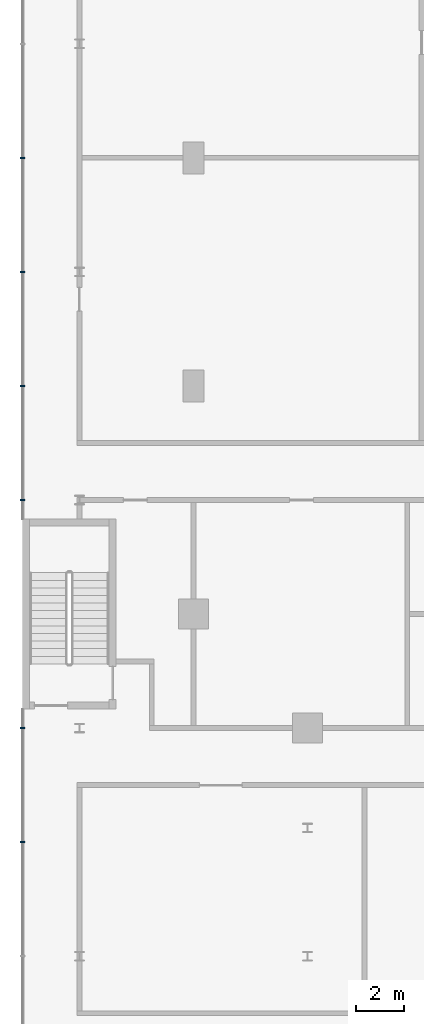
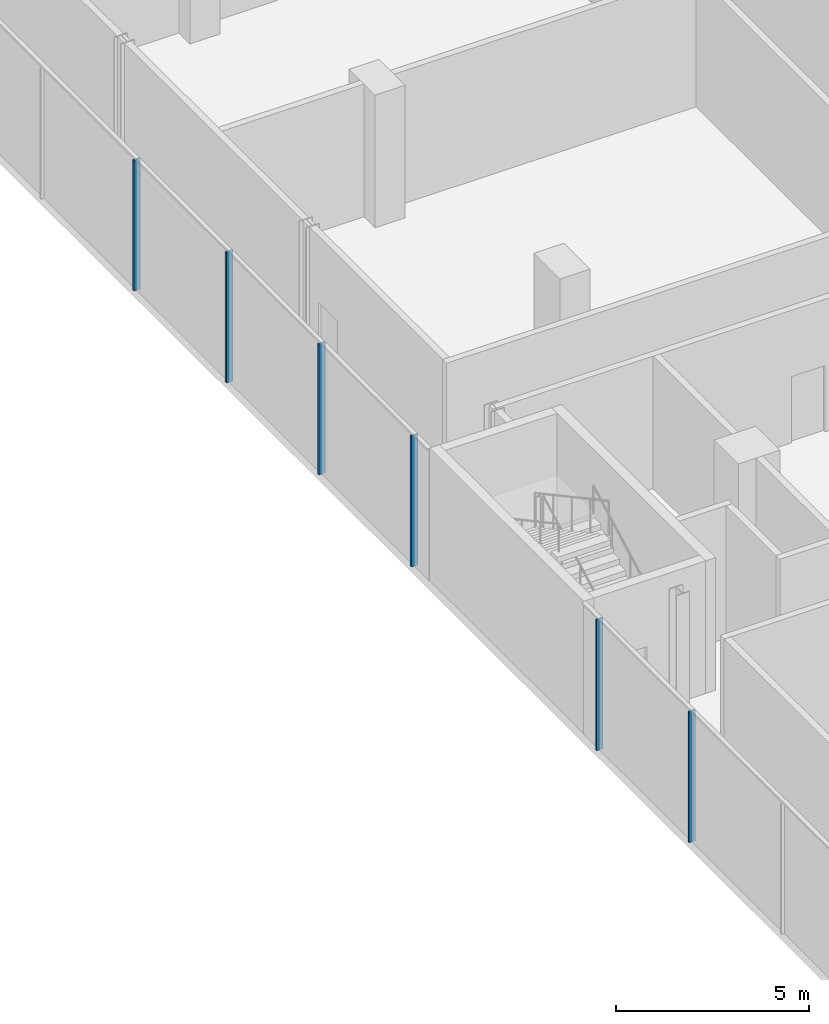
# One storey, part 10 of 43: 6 members, 1 element without a shape of its own.
"""IFC4 building model written with IfcOpenShell, lengths in metres."""

from ifc_helpers import new_model, si_unit, direction, frame, origin, origin_2d, place, context, subcontext, project, spatial, rectangle, extrude, material, layer, layer_set, material_profile, profile_set, type_object, element, aggregate, save


model = new_model("IFC4")

# Units and contexts
model_context = context("Model", 3, precision=1e-05, world=origin(), true_north=direction((0.0, 1.0)))
body_context = subcontext(model_context, "Body", "Model", "MODEL_VIEW")
ifc_project = project(units=[si_unit("LENGTHUNIT", "METRE"), si_unit("AREAUNIT", "SQUARE_METRE"), si_unit("VOLUMEUNIT", "CUBIC_METRE"), si_unit("PLANEANGLEUNIT", "RADIAN"), si_unit("MASSUNIT", "GRAM", prefix="KILO")], contexts=[model_context])

# Site, building, storey
site_placement = place(None, origin())
site = spatial("IfcSite", under=ifc_project, at=site_placement, CompositionType="ELEMENT")
building_placement = place(site_placement, origin())
building = spatial("IfcBuilding", under=site, at=building_placement, Name="Madar Terraces", CompositionType="ELEMENT")
storey_placement = place(building_placement, frame((0.0, 0.0, 10.5)))
storey = spatial("IfcBuildingStorey", under=building, at=storey_placement, Name="L02", CompositionType="ELEMENT", Elevation=10.5)

# Curtain wall, members
ifc_material_1 = material(Name="Glass, clear low-iron, with black aluminium frame", Category="aluminium")
ifc_layer = layer(ifc_material_1, 0.199951171875)
ifc_layer_set = layer_set([ifc_layer], Name="Facade curtain wall, shopfront glazing")
curtain_wall_type = type_object("IfcCurtainWallType", Name="Facade curtain wall, shopfront glazing", PredefinedType="NOTDEFINED", material=ifc_layer_set)
curtain_wall_placement = place(storey_placement, origin())
curtain_wall = element("IfcCurtainWall", 1, at=curtain_wall_placement, inside=storey, type_object=curtain_wall_type, Name="Outer skin curtain wall west bay 1", PredefinedType="NOTDEFINED")
ifc_material_2 = material(Name="Aluminium, black anodised", Category="aluminium")
ifc_material_profile = material_profile(ifc_material_2, rectangle(XDim=0.199951171875, YDim=0.06005859375, at=origin_2d()), Name="Facade mullion 60x200")
ifc_profile_set = profile_set([ifc_material_profile], Name="Aluminium, black anodised")
member_type = type_object("IfcMemberType", Name="Facade mullion 60x200", PredefinedType="MULLION", material=ifc_profile_set)
member_1_placement = place(storey_placement, frame((-7.199951171875, 24.0, 0.0), z_axis=(0.0, 0.0, 1.0), x_axis=(1.0, 0.0, 0.0)))
member_1 = element("IfcMember", 2, at=member_1_placement, type_object=member_type, Name="Mullion 6", PredefinedType="MULLION", context=body_context, shape_type="SweptSolid", body=[
    extrude(rectangle(XDim=0.199951171875, YDim=0.06005859375, at=origin_2d()), origin(), (0.0, 0.0, 1.0), 4.139892578125),
])
member_2_placement = place(storey_placement, frame((-7.199951171875, 19.199951171875, 0.0), z_axis=(0.0, 0.0, 1.0), x_axis=(1.0, 0.0, 0.0)))
member_2 = element("IfcMember", 3, at=member_2_placement, type_object=member_type, Name="Mullion 7", PredefinedType="MULLION", context=body_context, shape_type="SweptSolid", body=[
    extrude(rectangle(XDim=0.199951171875, YDim=0.06005859375, at=origin_2d()), origin(), (0.0, 0.0, 1.0), 4.139892578125),
])
member_3_placement = place(storey_placement, frame((-7.199951171875, 14.39990234375, 0.0), z_axis=(0.0, 0.0, 1.0), x_axis=(1.0, 0.0, 0.0)))
member_3 = element("IfcMember", 4, at=member_3_placement, type_object=member_type, Name="Mullion 8", PredefinedType="MULLION", context=body_context, shape_type="SweptSolid", body=[
    extrude(rectangle(XDim=0.199951171875, YDim=0.06005859375, at=origin_2d()), origin(), (0.0, 0.0, 1.0), 4.139892578125),
])
member_4_placement = place(storey_placement, frame((-7.199951171875, 9.60009765625, 0.0), z_axis=(0.0, 0.0, 1.0), x_axis=(1.0, 0.0, 0.0)))
member_4 = element("IfcMember", 5, at=member_4_placement, type_object=member_type, Name="Mullion 9", PredefinedType="MULLION", context=body_context, shape_type="SweptSolid", body=[
    extrude(rectangle(XDim=0.199951171875, YDim=0.06005859375, at=origin_2d()), origin(), (0.0, 0.0, 1.0), 4.139892578125),
])
member_5_placement = place(storey_placement, frame((-7.199951171875, 0.0, 0.0), z_axis=(0.0, 0.0, 1.0), x_axis=(1.0, 0.0, 0.0)))
member_5 = element("IfcMember", 6, at=member_5_placement, type_object=member_type, Name="Mullion 10", PredefinedType="MULLION", context=body_context, shape_type="SweptSolid", body=[
    extrude(rectangle(XDim=0.199951171875, YDim=0.06005859375, at=origin_2d()), origin(), (0.0, 0.0, 1.0), 4.139892578125),
])
member_6_placement = place(storey_placement, frame((-7.199951171875, -4.800048828125, 0.0), z_axis=(0.0, 0.0, 1.0), x_axis=(1.0, 0.0, 0.0)))
member_6 = element("IfcMember", 7, at=member_6_placement, type_object=member_type, Name="Mullion 11", PredefinedType="MULLION", context=body_context, shape_type="SweptSolid", body=[
    extrude(rectangle(XDim=0.199951171875, YDim=0.06005859375, at=origin_2d()), origin(), (0.0, 0.0, 1.0), 4.139892578125),
])
aggregate(curtain_wall, [member_1, member_2, member_3, member_4, member_5, member_6])

save(model, "model.ifc")
